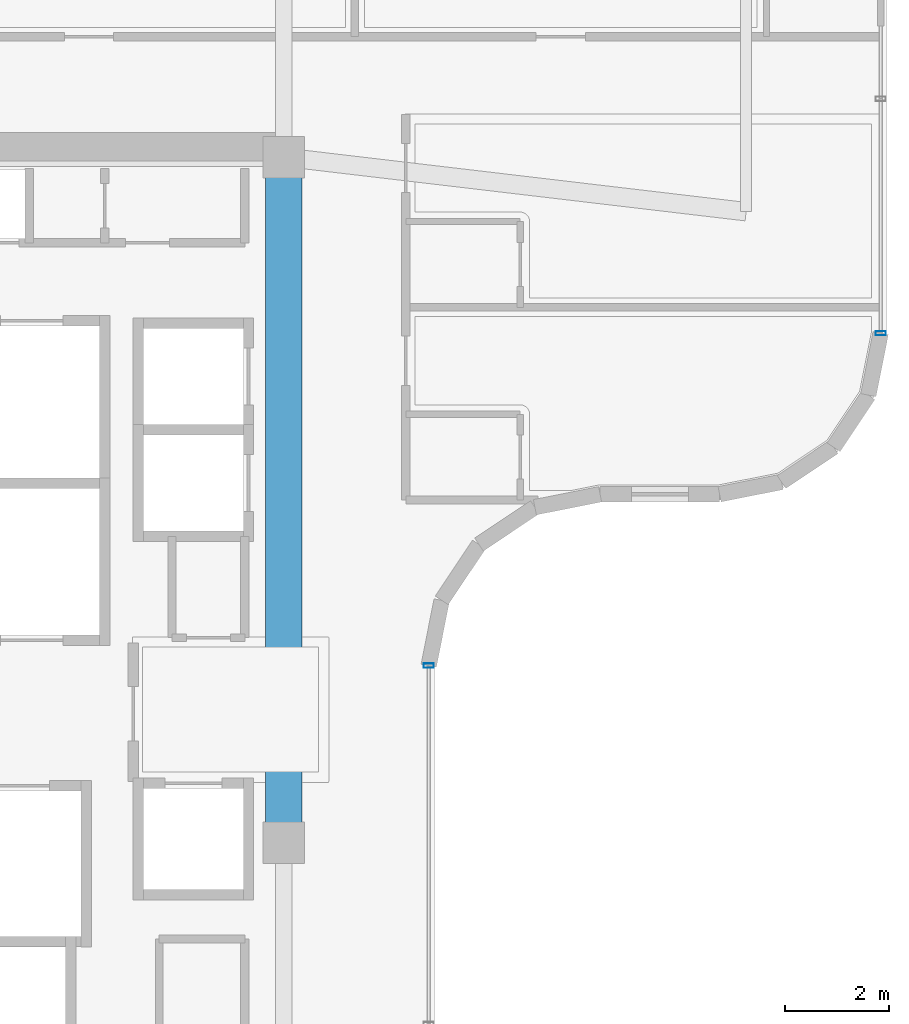
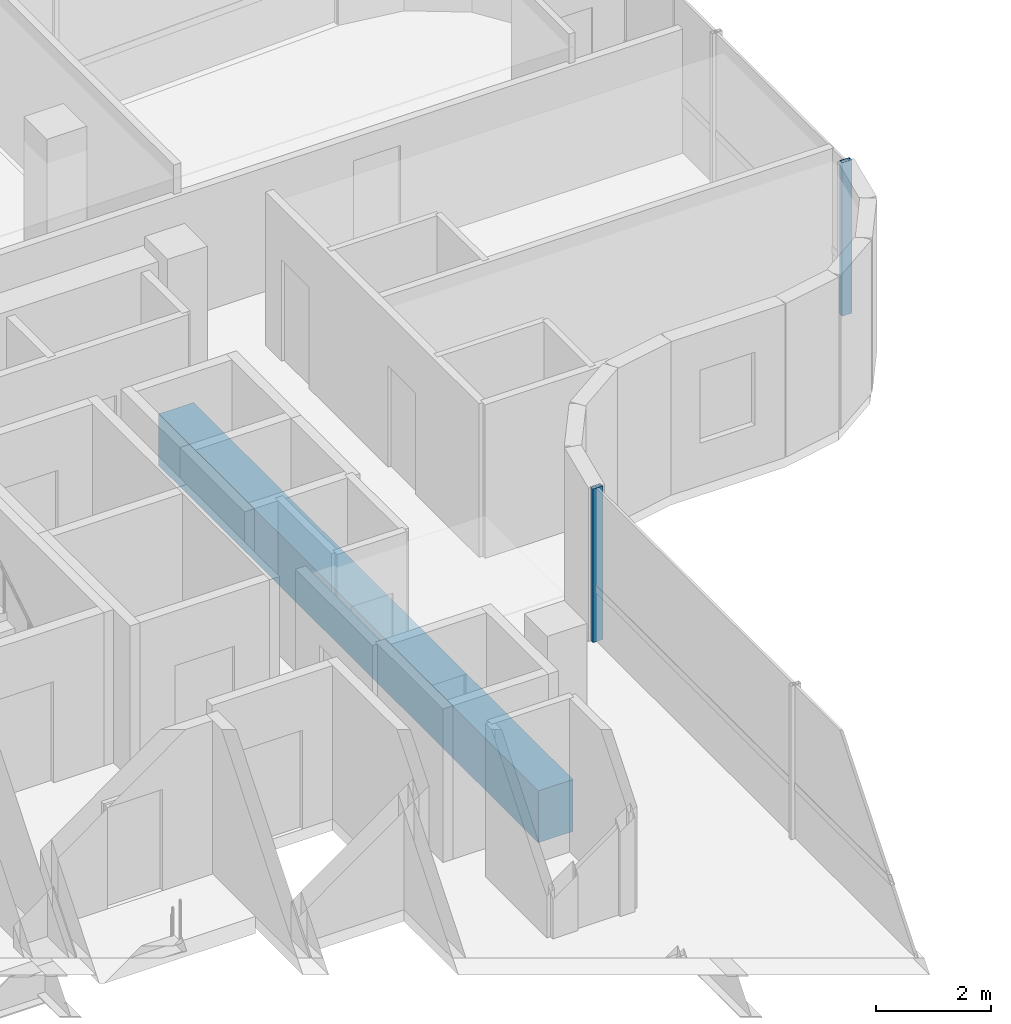
# One storey, part 8 of 20: 2 members, 1 beam, 2 elements without a shape of their own.
"""IFC4 building model written with IfcOpenShell, lengths in metres."""

from ifc_helpers import new_model, si_unit, direction, frame, origin, origin_2d, place, context, subcontext, project, spatial, rectangle, hollow_rectangle, extrude, source, transform, mapped, material, material_profile, profile_set, type_object, element, aggregate, save


model = new_model("IFC4")

# Units and contexts
model_context = context("Model", 3, precision=1e-05, world=origin(), true_north=direction((0.0, 1.0)))
body_context = subcontext(model_context, "Body", "Model", "MODEL_VIEW")
ifc_project = project(units=[si_unit("LENGTHUNIT", "METRE"), si_unit("AREAUNIT", "SQUARE_METRE"), si_unit("VOLUMEUNIT", "CUBIC_METRE"), si_unit("PLANEANGLEUNIT", "RADIAN"), si_unit("MASSUNIT", "GRAM", prefix="KILO")], contexts=[model_context])

# Site, building, storey
site_placement = place(None, origin())
site = spatial("IfcSite", under=ifc_project, at=site_placement, CompositionType="ELEMENT")
building_placement = place(site_placement, origin())
building = spatial("IfcBuilding", under=site, at=building_placement, Name="Valdorenza Pilgrim Sanctuary Tower", CompositionType="ELEMENT")
storey_placement = place(building_placement, frame((0.0, 0.0, 240.5)))
storey = spatial("IfcBuildingStorey", under=building, at=storey_placement, Name="L62", CompositionType="ELEMENT", Elevation=240.5)

# Beam
ifc_material_1 = material(Name="Concrete C50/60", Category="concrete")
ifc_material_profile_1 = material_profile(ifc_material_1, rectangle(XDim=0.699951171875, YDim=1.10009765625, at=origin_2d()), Name="RC 1100x700")
ifc_profile_set_1 = profile_set([ifc_material_profile_1], Name="Concrete C50/60")
beam_type = type_object("IfcBeamType", Name="STR-BM-LNT-1100", PredefinedType="LINTEL", material=ifc_profile_set_1)
shared_shape_1 = source(origin(), body_context, "Body", "SweptSolid", [
    extrude(rectangle(XDim=0.699951171875, YDim=1.10009765625, at=origin_2d()), origin(), (0.0, 0.0, 1.0), 13.2001953125),
])
beam_placement = place(storey_placement, frame((-12.39990234375, -2.60009765625, -0.590087890625), z_axis=(0.0, 1.0, 0.0), x_axis=(-1.0, 0.0, 0.0)))
element("IfcBeam", 1, at=beam_placement, inside=storey, type_object=beam_type, Name="L62 Core A Coupling Lintel Girder", PredefinedType="LINTEL", context=body_context, shape_type="MappedRepresentation", body=[
    mapped(shared_shape_1, transform((0.0, 0.0, 0.0), x_axis=(1.0, 0.0, 0.0), y_axis=(0.0, 1.0, 0.0), z_axis=(0.0, 0.0, 1.0), scale=1.0)),
])

# Curtain wall, member
ifc_material_2 = material(Name="Curtain-wall IGU glazing", Category="glass")
curtain_wall_type = type_object("IfcCurtainWallType", Name="CW-SYS-02", PredefinedType="NOTDEFINED", material=ifc_material_2)
curtain_wall_1_placement = place(storey_placement, origin())
curtain_wall_1 = element("IfcCurtainWall", 2, at=curtain_wall_1_placement, inside=storey, type_object=curtain_wall_type, Name="L62 Curtain Wall CW-L62-1-11", PredefinedType="NOTDEFINED")
ifc_material_3 = material(Name="Anodised aluminium AW-6060", Category="aluminium")
ifc_material_profile_2 = material_profile(ifc_material_3, hollow_rectangle(XDim=0.0849609375, YDim=0.199951171875, WallThickness=0.0048828125, at=origin_2d()), Name="ALU-M 200x85x5")
ifc_profile_set_2 = profile_set([ifc_material_profile_2], Name="Anodised aluminium AW-6060")
member_type = type_object("IfcMemberType", Name="CW-MUL-02", PredefinedType="MULLION", material=ifc_profile_set_2)
shared_shape_2 = source(origin(), body_context, "Body", "SweptSolid", [
    extrude(hollow_rectangle(XDim=0.0849609375, YDim=0.199951171875, WallThickness=0.0048828125, at=origin_2d()), origin(), (0.0, 0.0, 1.0), 3.260009765625),
])
member_1_placement = place(storey_placement, frame((-0.909912109375, 7.210693359375, 0.0), z_axis=(0.0, 0.0, 1.0), x_axis=(0.0, -1.0, 0.0)))
member_1 = element("IfcMember", 3, at=member_1_placement, type_object=member_type, Name="CW-L62-1-11 Mullion 3", PredefinedType="MULLION", context=body_context, shape_type="MappedRepresentation", body=[
    mapped(shared_shape_2, transform((0.0, 0.0, 0.0), x_axis=(1.0, 0.0, 0.0), y_axis=(0.0, 1.0, 0.0), z_axis=(0.0, 0.0, 1.0), scale=1.0)),
])
aggregate(curtain_wall_1, [member_1])

curtain_wall_2_placement = place(storey_placement, origin())
curtain_wall_2 = element("IfcCurtainWall", 4, at=curtain_wall_2_placement, inside=storey, type_object=curtain_wall_type, Name="L62 Curtain Wall CW-L62-1-21", PredefinedType="NOTDEFINED")
member_2_placement = place(storey_placement, frame((-9.610107421875, 0.810791015625, 0.0), z_axis=(0.0, 0.0, 1.0), x_axis=(0.0, -1.0, 0.0)))
member_2 = element("IfcMember", 5, at=member_2_placement, type_object=member_type, Name="CW-L62-1-21 Mullion 1", PredefinedType="MULLION", context=body_context, shape_type="MappedRepresentation", body=[
    mapped(shared_shape_2, transform((0.0, 0.0, 0.0), x_axis=(1.0, 0.0, 0.0), y_axis=(0.0, 1.0, 0.0), z_axis=(0.0, 0.0, 1.0), scale=1.0)),
])
aggregate(curtain_wall_2, [member_2])

save(model, "model.ifc")
